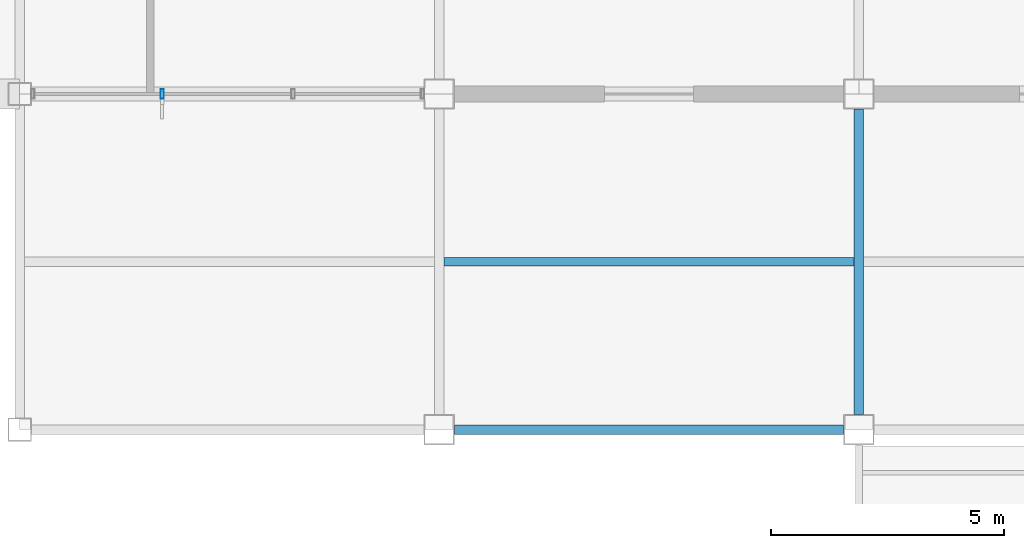
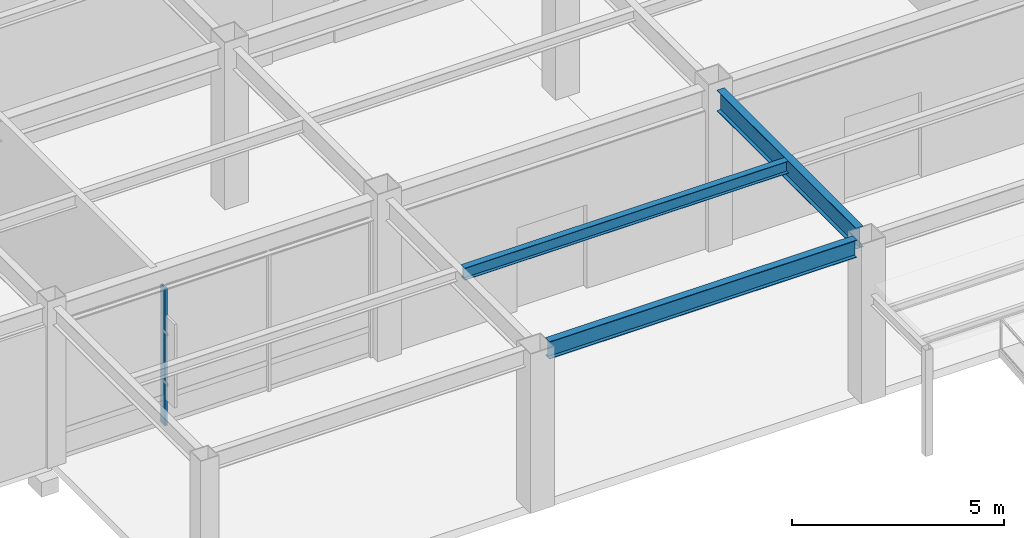
# One storey, part 23 of 112: 3 beams, 1 member, 1 element without a shape of its own.
"""IFC4 building model written with IfcOpenShell, lengths in metres."""

from ifc_helpers import new_model, si_unit, direction, frame, origin, origin_2d, place, context, subcontext, project, spatial, hollow_rectangle, i_section, extrude, material, material_profile, profile_set, type_object, element, aggregate, save


model = new_model("IFC4")

# Units and contexts
model_context = context("Model", 3, precision=1e-05, world=origin(), true_north=direction((0.0, 1.0)))
body_context = subcontext(model_context, "Body", "Model", "MODEL_VIEW")
ifc_project = project(units=[si_unit("LENGTHUNIT", "METRE"), si_unit("AREAUNIT", "SQUARE_METRE"), si_unit("VOLUMEUNIT", "CUBIC_METRE"), si_unit("PLANEANGLEUNIT", "RADIAN"), si_unit("MASSUNIT", "GRAM", prefix="KILO")], contexts=[model_context])

# Site, building, storey
site_placement = place(None, origin())
site = spatial("IfcSite", under=ifc_project, at=site_placement, CompositionType="ELEMENT")
building_placement = place(site_placement, origin())
building = spatial("IfcBuilding", under=site, at=building_placement, Name="Kazanami Central Library", CompositionType="ELEMENT")
storey_placement = place(building_placement, origin())
storey = spatial("IfcBuildingStorey", under=building, at=storey_placement, Name="L01", CompositionType="ELEMENT", Elevation=0.0)

# Beams
ifc_material_1 = material(Name="Steel SN400B (235 MPa)", Category="steel")
ifc_material_profile_1 = material_profile(ifc_material_1, i_section(OverallWidth=0.175048828125, OverallDepth=0.35009765625, WebThickness=0.007080078125, FlangeThickness=0.010986328125, at=origin_2d()), Name="H-350x175x7x11")
ifc_profile_set_1 = profile_set([ifc_material_profile_1], Name="Steel SN400B (235 MPa)")
beam_type_1 = type_object("IfcBeamType", Name="BM-B-S2", PredefinedType="JOIST", material=ifc_profile_set_1)
beam_1_placement = place(storey_placement, frame((54.097900390625, 18.0, 4.405029296875), z_axis=(1.0, 0.0, 0.0), x_axis=(0.0, 1.0, 0.0)))
element("IfcBeam", 1, at=beam_1_placement, inside=storey, type_object=beam_type_1, Name="Composite Secondary Joist B-S2 L01 Bay 7/C.1", PredefinedType="JOIST", context=body_context, shape_type="SweptSolid", body=[
    extrude(i_section(OverallWidth=0.175048828125, OverallDepth=0.35009765625, WebThickness=0.007080078125, FlangeThickness=0.010986328125, at=origin_2d()), origin(), (0.0, 0.0, 1.0), 8.80419921875),
])
ifc_material_2 = material(Name="Steel SN490B (325 MPa)", Category="steel")
ifc_material_profile_2 = material_profile(ifc_material_2, i_section(OverallWidth=0.199951171875, OverallDepth=0.60009765625, WebThickness=0.010986328125, FlangeThickness=0.01708984375, at=origin_2d()), Name="H-600x200x11x17")
ifc_profile_set_2 = profile_set([ifc_material_profile_2], Name="Steel SN490B (325 MPa)")
beam_type_2 = type_object("IfcBeamType", Name="BM-G-Y1", PredefinedType="BEAM", material=ifc_profile_set_2)
beam_2_placement = place(storey_placement, frame((63.0, 14.722900390625, 4.280029296875), z_axis=(0.0, 1.0, 0.0), x_axis=(-1.0, 0.0, 0.0)))
element("IfcBeam", 2, at=beam_2_placement, inside=storey, type_object=beam_type_2, Name="Girder G-Y1 L01 8/C-D", PredefinedType="BEAM", context=body_context, shape_type="SweptSolid", body=[
    extrude(i_section(OverallWidth=0.199951171875, OverallDepth=0.60009765625, WebThickness=0.010986328125, FlangeThickness=0.01708984375, at=origin_2d()), origin(), (0.0, 0.0, 1.0), 6.55419921875),
])
ifc_material_profile_3 = material_profile(ifc_material_2, i_section(OverallWidth=0.199951171875, OverallDepth=0.5, WebThickness=0.010009765625, FlangeThickness=0.01611328125, at=origin_2d()), Name="H-500x200x10x16")
ifc_profile_set_3 = profile_set([ifc_material_profile_3], Name="Steel SN490B (325 MPa)")
beam_type_3 = type_object("IfcBeamType", Name="BM-SP-1", PredefinedType="SPANDREL", material=ifc_profile_set_3)
beam_3_placement = place(storey_placement, frame((54.322998046875, 14.39990234375, 4.330078125), z_axis=(1.0, 0.0, 0.0), x_axis=(0.0, 1.0, 0.0)))
element("IfcBeam", 3, at=beam_3_placement, inside=storey, type_object=beam_type_3, Name="Girder SP-1 L01 C/7-8", PredefinedType="SPANDREL", context=body_context, shape_type="SweptSolid", body=[
    extrude(i_section(OverallWidth=0.199951171875, OverallDepth=0.5, WebThickness=0.010009765625, FlangeThickness=0.01611328125, at=origin_2d()), origin(), (0.0, 0.0, 1.0), 8.35400390625),
])

# Curtain wall, member
ifc_material_3 = material(Name="Acid-Etched Low-E Laminated Glass", Category="glass")
curtain_wall_type = type_object("IfcCurtainWallType", Name="CW-8425x3955-M275", PredefinedType="USERDEFINED", material=ifc_material_3)
curtain_wall_placement = place(storey_placement, origin())
curtain_wall = element("IfcCurtainWall", 4, at=curtain_wall_placement, inside=storey, type_object=curtain_wall_type, Name="Unitised Curtain Wall CW-01 L01 S-D-05", ObjectType="UNITISED CURTAIN WALL", PredefinedType="USERDEFINED")
ifc_material_4 = material(Name="Anodised Aluminium A6063-T5", Category="aluminium")
ifc_material_profile_4 = material_profile(ifc_material_4, hollow_rectangle(XDim=0.070068359375, YDim=0.2099609375, WallThickness=0.0048828125, at=origin_2d()), Name="ALU-MULL-70x210x5")
ifc_profile_set_4 = profile_set([ifc_material_profile_4], Name="Anodised Aluminium A6063-T5")
member_type = type_object("IfcMemberType", Name="MEM-CW-M1", PredefinedType="MULLION", material=ifc_profile_set_4)
member_placement = place(storey_placement, frame((48.058349609375, 21.60009765625, 0.0), z_axis=(0.0, 0.0, 1.0), x_axis=(1.0, 0.0, 0.0)))
member = element("IfcMember", 5, at=member_placement, type_object=member_type, Name="CW-01 mullion 2", PredefinedType="MULLION", context=body_context, shape_type="SweptSolid", body=[
    extrude(hollow_rectangle(XDim=0.070068359375, YDim=0.2099609375, WallThickness=0.0048828125, at=origin_2d()), origin(), (0.0, 0.0, 1.0), 3.955078125),
])
aggregate(curtain_wall, [member])

save(model, "model.ifc")
